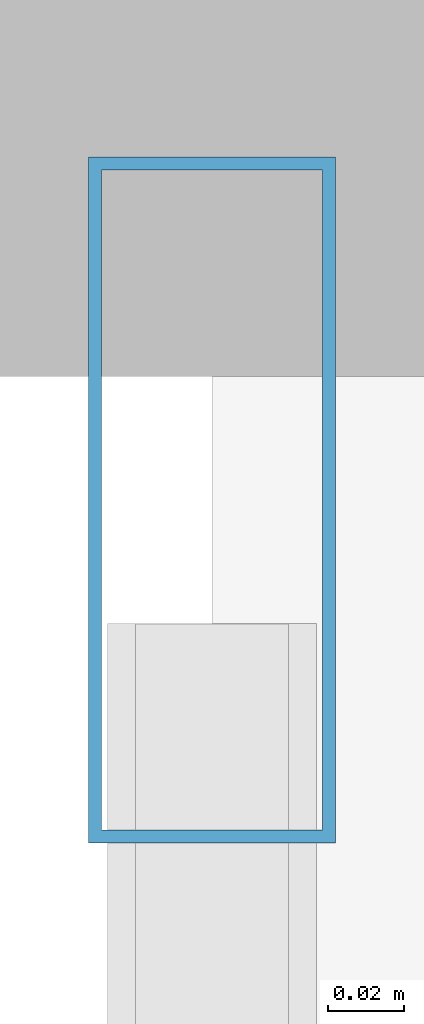
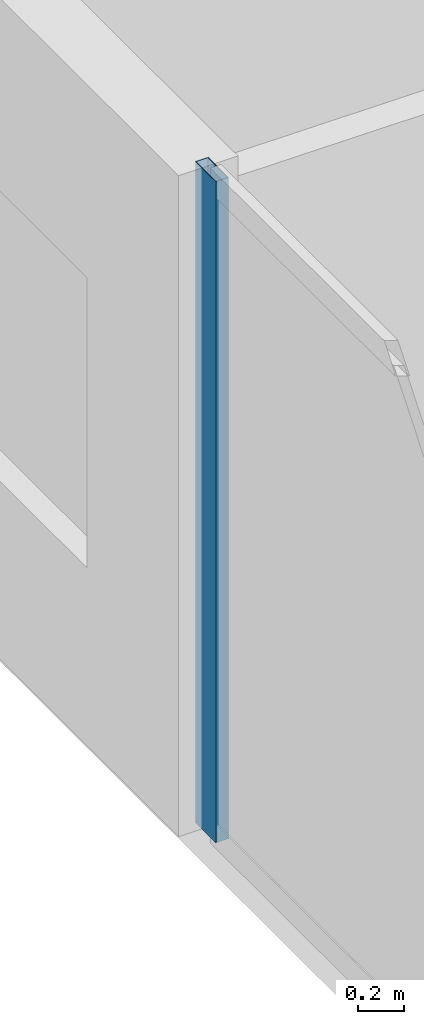
# One storey, part 16 of 33: 1 member, 1 element without a shape of its own.
"""IFC4 building model written with IfcOpenShell, lengths in metres."""

from ifc_helpers import new_model, si_unit, direction, frame, origin, origin_2d, place, context, subcontext, project, spatial, hollow_rectangle, extrude, material, layer, layer_set, material_profile, profile_set, type_object, element, aggregate, save


model = new_model("IFC4")

# Units and contexts
model_context = context("Model", 3, precision=1e-05, world=origin(), true_north=direction((0.0, 1.0)))
body_context = subcontext(model_context, "Body", "Model", "MODEL_VIEW")
ifc_project = project(units=[si_unit("LENGTHUNIT", "METRE"), si_unit("AREAUNIT", "SQUARE_METRE"), si_unit("VOLUMEUNIT", "CUBIC_METRE"), si_unit("PLANEANGLEUNIT", "RADIAN"), si_unit("MASSUNIT", "GRAM", prefix="KILO")], contexts=[model_context])

# Site, building, storey
site_placement = place(None, origin())
site = spatial("IfcSite", under=ifc_project, at=site_placement, CompositionType="ELEMENT")
building_placement = place(site_placement, origin())
building = spatial("IfcBuilding", under=site, at=building_placement, Name="Zuhayl Quay Hotel", CompositionType="ELEMENT")
storey_placement = place(building_placement, frame((0.0, 0.0, 214.89990234375)))
storey = spatial("IfcBuildingStorey", under=building, at=storey_placement, Name="L54", CompositionType="ELEMENT", Elevation=214.89990234375)

# Curtain wall, member
ifc_material_1 = material(Name="Anodised Aluminium 6063-T6", Category="aluminium")
ifc_layer = layer(ifc_material_1, 0.175048828125, Name="Anodised Aluminium 6063-T6", Category="aluminium")
ifc_layer_set = layer_set([ifc_layer], Name="Anodised Aluminium 6063-T6")
curtain_wall_type = type_object("IfcCurtainWallType", Name="CW_SYS_Z3", PredefinedType="USERDEFINED", material=ifc_layer_set)
curtain_wall_placement = place(storey_placement, origin())
curtain_wall = element("IfcCurtainWall", 1, at=curtain_wall_placement, inside=storey, type_object=curtain_wall_type, Name="L54 Curtain Wall ENV_L54_E05_CW1", ObjectType="UNITISED CURTAIN WALL", PredefinedType="USERDEFINED")
ifc_material_2 = material(Name="Black-anodised aluminium 6063-T6", Category="aluminium")
ifc_material_profile = material_profile(ifc_material_2, hollow_rectangle(XDim=0.06494140625, YDim=0.179931640625, WallThickness=0.00341796875, at=origin_2d()), Name="ALU180X65")
ifc_profile_set = profile_set([ifc_material_profile], Name="Black-anodised aluminium 6063-T6")
member_type = type_object("IfcMemberType", Name="MB_CW_MUL_180", PredefinedType="MULLION", material=ifc_profile_set)
member_placement = place(storey_placement, frame((-22.10009765625, 24.517578125, 0.0), z_axis=(0.0, 0.0, 1.0), x_axis=(-1.0, 0.0, 0.0)))
member = element("IfcMember", 2, at=member_placement, type_object=member_type, Name="CW-Z3 mullion 2", PredefinedType="MULLION", context=body_context, shape_type="SweptSolid", body=[
    extrude(hollow_rectangle(XDim=0.06494140625, YDim=0.179931640625, WallThickness=0.00341796875, at=origin_2d()), origin(), (0.0, 0.0, 1.0), 3.530029296875),
])
aggregate(curtain_wall, [member])

save(model, "model.ifc")
